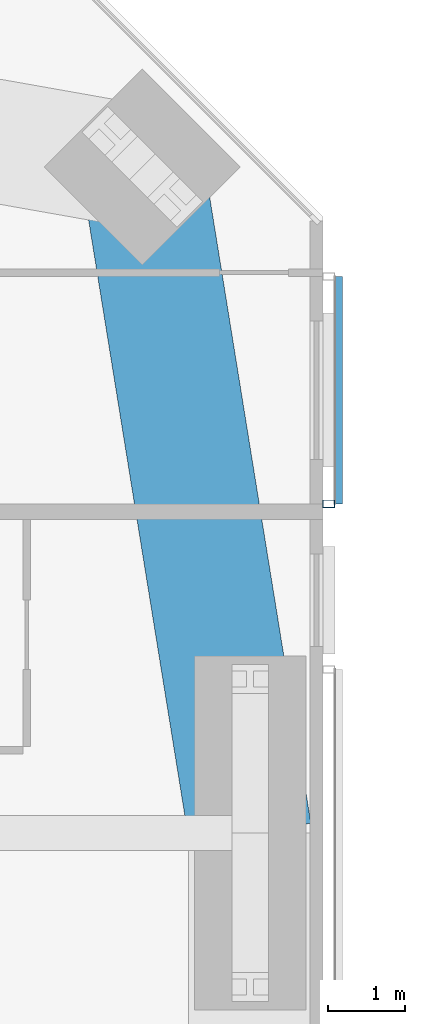
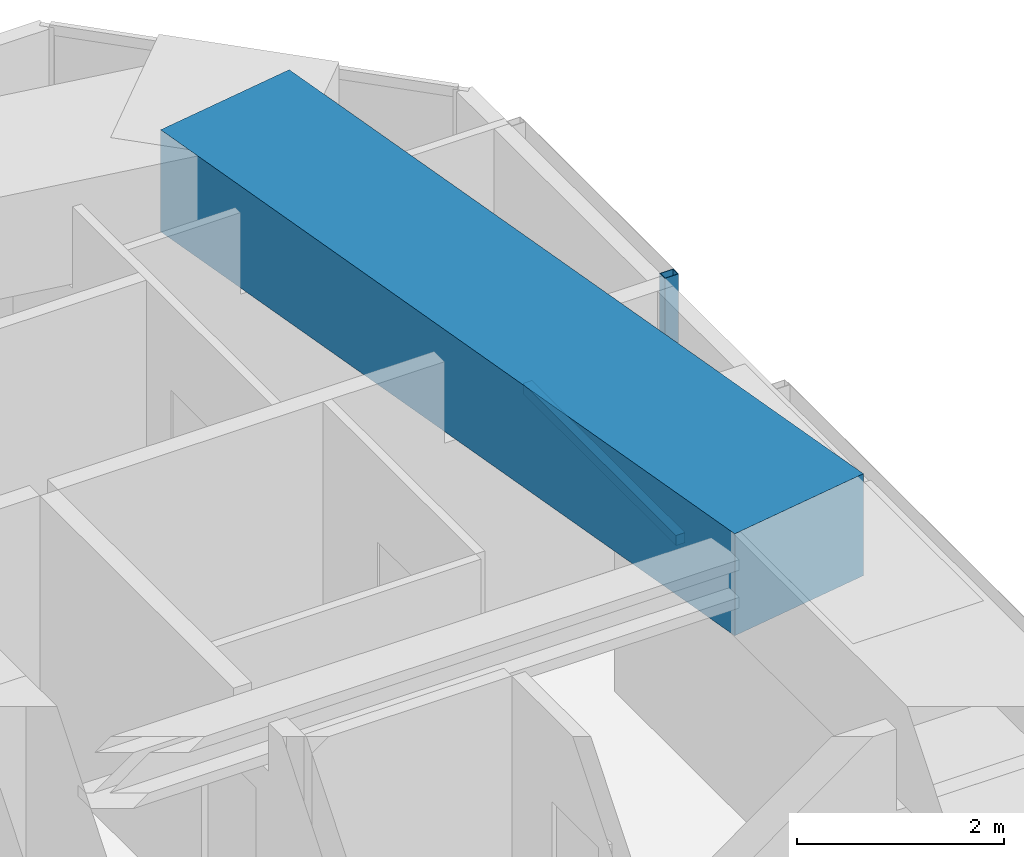
# One storey, part 9 of 23: 2 members, 1 beam, 1 element without a shape of its own.
"""IFC4 building model written with IfcOpenShell, lengths in metres."""

from ifc_helpers import new_model, si_unit, direction, frame, origin, origin_2d, place, context, subcontext, project, spatial, rectangle, hollow_rectangle, extrude, material, material_profile, profile_set, type_object, element, aggregate, save


model = new_model("IFC4")

# Units and contexts
model_context = context("Model", 3, precision=1e-05, world=origin(), true_north=direction((0.0, 1.0)))
body_context = subcontext(model_context, "Body", "Model", "MODEL_VIEW")
ifc_project = project(units=[si_unit("LENGTHUNIT", "METRE"), si_unit("AREAUNIT", "SQUARE_METRE"), si_unit("VOLUMEUNIT", "CUBIC_METRE"), si_unit("PLANEANGLEUNIT", "RADIAN"), si_unit("MASSUNIT", "GRAM", prefix="KILO")], contexts=[model_context])

# Site, building, storey
site_placement = place(None, origin())
site = spatial("IfcSite", under=ifc_project, at=site_placement, CompositionType="ELEMENT")
building_placement = place(site_placement, origin())
building = spatial("IfcBuilding", under=site, at=building_placement, Name="Jalousie Tower", CompositionType="ELEMENT")
storey_placement = place(building_placement, frame((0.0, 0.0, 167.75)))
storey = spatial("IfcBuildingStorey", under=building, at=storey_placement, Name="L45", CompositionType="ELEMENT", Elevation=167.75)

# Beam
ifc_material_1 = material(Name="Concrete f'c 40 MPa", Category="concrete")
ifc_material_profile_1 = material_profile(ifc_material_1, rectangle(XDim=1.60009765625, YDim=1.199951171875, at=origin_2d()), Name="RC 1600x1200")
ifc_profile_set_1 = profile_set([ifc_material_profile_1], Name="Concrete f'c 40 MPa")
beam_type = type_object("IfcBeamType", Name="RC BEAM 1600x1200", PredefinedType="BEAM", material=ifc_profile_set_1)
beam_placement = place(storey_placement, frame((52.050048828125, 25.0, 2.75), z_axis=(-0.159567878256, 0.987186959106, 0.0), x_axis=(-0.987186959106, -0.159567878256, 0.0)))
element("IfcBeam", 1, at=beam_placement, inside=storey, type_object=beam_type, Name="Edge band beam 07-08 under L46", PredefinedType="BEAM", context=body_context, shape_type="SweptSolid", body=[
    extrude(rectangle(XDim=1.60009765625, YDim=1.199951171875, at=origin_2d()), origin(), (0.0, 0.0, 1.0), 8.763916015625),
])

# Curtain wall, members
ifc_material_2 = material(Name="Perforated aluminium sheet", Category="aluminium")
curtain_wall_type = type_object("IfcCurtainWallType", Name="SOLAR SCREEN SS-1", PredefinedType="USERDEFINED", material=ifc_material_2)
curtain_wall_placement = place(storey_placement, origin())
curtain_wall = element("IfcCurtainWall", 2, at=curtain_wall_placement, inside=storey, type_object=curtain_wall_type, Name="Solar screen L45", ObjectType="SOLAR SCREEN SS-1", PredefinedType="USERDEFINED")
ifc_material_3 = material(Name="Steel ASTM A500 Grade C", Category="steel")
ifc_material_profile_2 = material_profile(ifc_material_3, hollow_rectangle(XDim=0.1015625, YDim=0.15234375, WallThickness=0.00634765625, at=origin_2d()), Name="HSS6X4X1/4")
ifc_profile_set_2 = profile_set([ifc_material_profile_2], Name="Steel ASTM A500 Grade C")
member_type_1 = type_object("IfcMemberType", Name="SOLAR SCREEN SS-1 MULLION", PredefinedType="MULLION", material=ifc_profile_set_2)
member_1_placement = place(storey_placement, frame((53.0712890625, 29.27490234375, -0.1201171875), z_axis=(0.0, 0.0, 1.0), x_axis=(0.0, 1.0, 0.0)))
member_1 = element("IfcMember", 3, at=member_1_placement, type_object=member_type_1, Name="SS1 post 1", PredefinedType="MULLION", context=body_context, shape_type="SweptSolid", body=[
    extrude(hollow_rectangle(XDim=0.1015625, YDim=0.15234375, WallThickness=0.00634765625, at=origin_2d()), origin(), (0.0, 0.0, 1.0), 3.230224609375),
])
ifc_material_4 = material(Name="Extruded aluminium screen rail", Category="aluminium")
ifc_material_profile_3 = material_profile(ifc_material_4, rectangle(XDim=0.1015625, YDim=0.1201171875, at=origin_2d()), Name="RAIL 102x120")
ifc_profile_set_3 = profile_set([ifc_material_profile_3], Name="Extruded aluminium screen rail")
member_type_2 = type_object("IfcMemberType", Name="SOLAR SCREEN SS-1 TRANSOM", PredefinedType="USERDEFINED", material=ifc_profile_set_3)
member_2_placement = place(storey_placement, frame((53.1982421875, 29.27490234375, -0.06005859375), z_axis=(0.0, 1.0, 0.0), x_axis=(-1.0, 0.0, 0.0)))
member_2 = element("IfcMember", 4, at=member_2_placement, type_object=member_type_2, Name="SS1 rail", ObjectType="TRANSOM", PredefinedType="USERDEFINED", context=body_context, shape_type="SweptSolid", body=[
    extrude(rectangle(XDim=0.1015625, YDim=0.1201171875, at=origin_2d()), origin(), (0.0, 0.0, 1.0), 2.953857421875),
])
aggregate(curtain_wall, [member_1, member_2])

save(model, "model.ifc")
